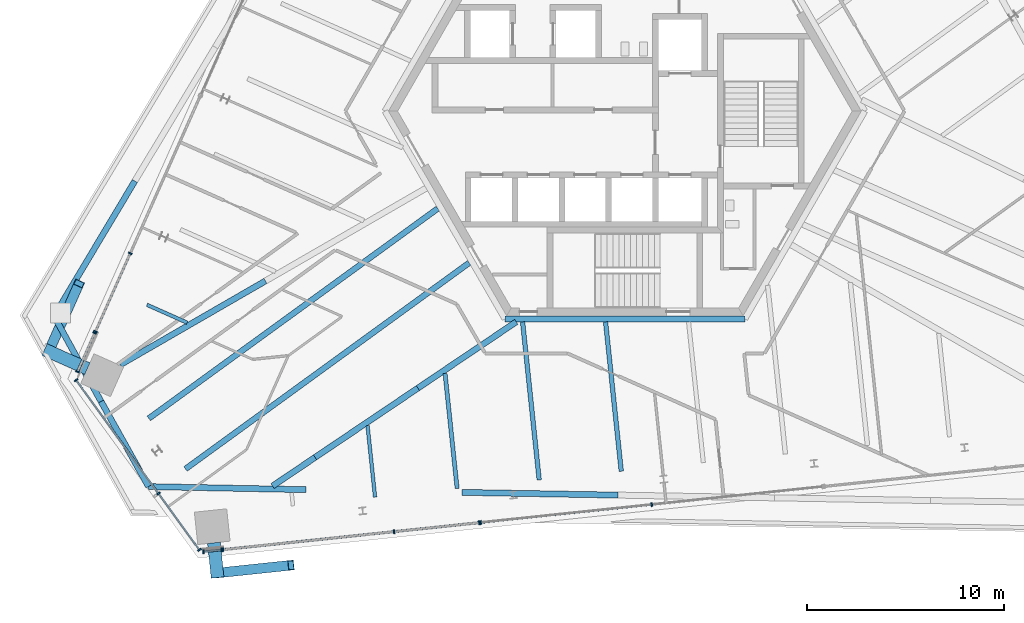
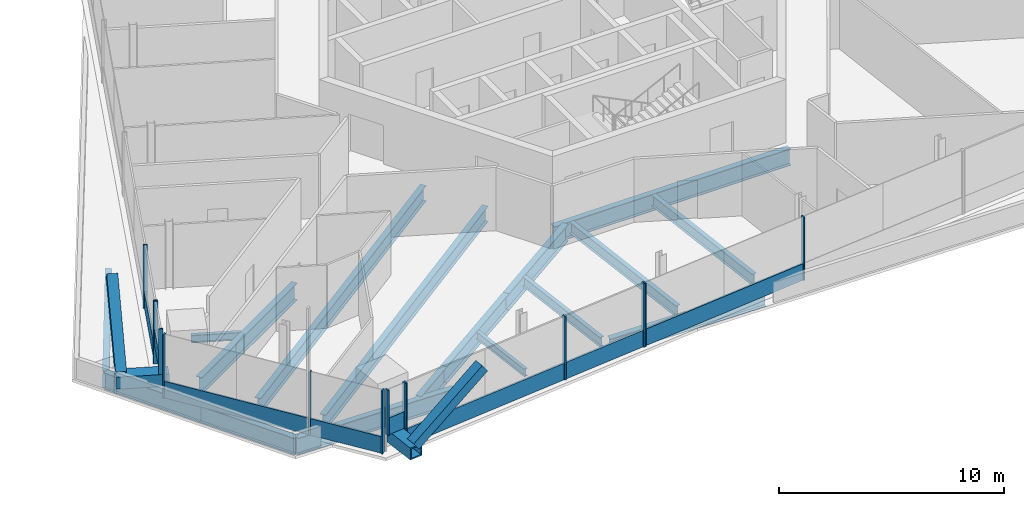
# One storey, part 4 of 21: 26 members, 17 beams, 6 elements without a shape of their own.
"""IFC4 building model written with IfcOpenShell, lengths in metres."""

from ifc_helpers import new_model, si_unit, direction, frame, origin, origin_2d, place, context, subcontext, project, spatial, rectangle, hollow_rectangle, i_section, extrude, source, transform, mapped, material, material_profile, profile_set, type_object, element, aggregate, save


model = new_model("IFC4")

# Units and contexts
model_context = context("Model", 3, precision=1e-05, world=origin(), true_north=direction((0.0, 1.0)))
body_context = subcontext(model_context, "Body", "Model", "MODEL_VIEW")
ifc_project = project(units=[si_unit("LENGTHUNIT", "METRE"), si_unit("AREAUNIT", "SQUARE_METRE"), si_unit("VOLUMEUNIT", "CUBIC_METRE"), si_unit("PLANEANGLEUNIT", "RADIAN"), si_unit("MASSUNIT", "GRAM", prefix="KILO")], contexts=[model_context])

# Site, building, storey
site_placement = place(None, origin())
site = spatial("IfcSite", under=ifc_project, at=site_placement, CompositionType="ELEMENT")
building_placement = place(site_placement, origin())
building = spatial("IfcBuilding", under=site, at=building_placement, Name="Triune Harvest Tower", CompositionType="ELEMENT")
storey_placement = place(building_placement, frame((0.0, 0.0, 219.699951171875)))
storey = spatial("IfcBuildingStorey", under=building, at=storey_placement, Name="L57", CompositionType="ELEMENT", Elevation=219.699951171875)

# Member
ifc_material_1 = material(Name="Steel ASTM A572 Gr 50", Category="steel")
ifc_material_profile_1 = material_profile(ifc_material_1, hollow_rectangle(XDim=0.64990234375, YDim=0.64990234375, WallThickness=0.070068359375, at=origin_2d()), Name="Box 650x650x70")
ifc_profile_set_1 = profile_set([ifc_material_profile_1], Name="Steel ASTM A572 Gr 50")
member_type_1 = type_object("IfcMemberType", Name="BS-1 Brace stub Box 650x650x70", PredefinedType="STRUT", material=ifc_profile_set_1)
member_1_placement = place(storey_placement, frame((-27.287841796875, -13.069091796875, 0.60009765625), z_axis=(-0.913569811991, 0.406681937906, 0.0), x_axis=(-0.406681937906, -0.913569811991, 0.0)))
element("IfcMember", 1, at=member_1_placement, inside=storey, type_object=member_type_1, Name="brace/B6-F3/stub3", PredefinedType="STRUT", context=body_context, shape_type="SweptSolid", body=[
    extrude(hollow_rectangle(XDim=0.64990234375, YDim=0.64990234375, WallThickness=0.070068359375, at=origin_2d()), origin(), (0.0, 0.0, 1.0), 2.37548828125),
])

# Beams
ifc_material_2 = material(Name="Steel ASTM A992 Gr 50", Category="steel")
ifc_material_profile_2 = material_profile(ifc_material_2, i_section(OverallWidth=0.3046875, OverallDepth=0.914306640625, WebThickness=0.0166015625, FlangeThickness=0.02587890625, at=origin_2d()), Name="W36x160")
ifc_profile_set_2 = profile_set([ifc_material_profile_2], Name="Steel ASTM A992 Gr 50")
beam_type_1 = type_object("IfcBeamType", Name="HG-3 Hip girder W36x160", PredefinedType="BEAM", material=ifc_profile_set_2)
beam_1_placement = place(storey_placement, frame((-25.61328125, -12.873046875, -0.6171875), z_axis=(0.866026401553, 0.49999827181, 0.0), x_axis=(-0.49999827181, 0.866026401553, 0.0)))
element("IfcBeam", 2, at=beam_1_placement, inside=storey, type_object=beam_type_1, Name="beam/L57/HG5", PredefinedType="BEAM", context=body_context, shape_type="SweptSolid", body=[
    extrude(i_section(OverallWidth=0.3046875, OverallDepth=0.914306640625, WebThickness=0.0166015625, FlangeThickness=0.02587890625, at=origin_2d()), origin(), (0.0, 0.0, 1.0), 8.5048828125),
])
beam_2_placement = place(storey_placement, frame((-17.885009765625, -19.02978515625, -0.6171875), z_axis=(0.829397868198, 0.558658371663, 0.0), x_axis=(-0.558658371663, 0.829397868198, 0.0)))
element("IfcBeam", 3, at=beam_2_placement, inside=storey, type_object=beam_type_1, Name="beam/L57/HG7", PredefinedType="BEAM", context=body_context, shape_type="SweptSolid", body=[
    extrude(i_section(OverallWidth=0.3046875, OverallDepth=0.914306640625, WebThickness=0.0166015625, FlangeThickness=0.02587890625, at=origin_2d()), origin(), (0.0, 0.0, 1.0), 2.6005859375),
])
ifc_material_3 = material(Name="Steel ASTM A992 Gr 50", Category="steel")
ifc_material_profile_3 = material_profile(ifc_material_3, i_section(OverallWidth=0.180908203125, OverallDepth=0.41650390625, WebThickness=0.010986328125, FlangeThickness=0.01806640625, at=origin_2d()), Name="W16x57")
ifc_profile_set_3 = profile_set([ifc_material_profile_3], Name="Steel ASTM A992 Gr 50")
beam_type_2 = type_object("IfcBeamType", Name="JT-1 Floor joist W16x57", PredefinedType="JOIST", material=ifc_profile_set_3)
beam_3_placement = place(storey_placement, frame((-24.259521484375, -9.83251953125, -0.3681640625), z_axis=(0.913585654602, -0.406646347218, 0.0), x_axis=(0.406646347218, 0.913585654602, 0.0)))
element("IfcBeam", 4, at=beam_3_placement, inside=storey, type_object=beam_type_2, Name="beam/L57/JT22", PredefinedType="JOIST", context=body_context, shape_type="SweptSolid", body=[
    extrude(i_section(OverallWidth=0.180908203125, OverallDepth=0.41650390625, WebThickness=0.010986328125, FlangeThickness=0.01806640625, at=origin_2d()), origin(), (0.0, 0.0, 1.0), 2.229736328125),
])
ifc_material_4 = material(Name="Steel ASTM A992 Gr 50", Category="steel")
ifc_material_profile_4 = material_profile(ifc_material_4, i_section(OverallWidth=0.2099609375, OverallDepth=0.535888671875, WebThickness=0.010986328125, FlangeThickness=0.017333984375, at=origin_2d()), Name="W21x68")
ifc_profile_set_4 = profile_set([ifc_material_profile_4], Name="Steel ASTM A992 Gr 50")
beam_type_3 = type_object("IfcBeamType", Name="JT-2 Floor joist W21x68", PredefinedType="JOIST", material=ifc_profile_set_4)
beam_4_placement = place(storey_placement, frame((-8.51611328125, -19.158203125, -0.427978515625), z_axis=(-0.104490061437, 0.994525930814, 0.0), x_axis=(-0.994525930814, -0.104490061437, 0.0)))
element("IfcBeam", 5, at=beam_4_placement, inside=storey, type_object=beam_type_3, Name="beam/L57/JT27", PredefinedType="JOIST", context=body_context, shape_type="SweptSolid", body=[
    extrude(i_section(OverallWidth=0.2099609375, OverallDepth=0.535888671875, WebThickness=0.010986328125, FlangeThickness=0.017333984375, at=origin_2d()), origin(), (0.0, 0.0, 1.0), 5.8740234375),
])
ifc_material_5 = material(Name="Steel ASTM A992 Gr 50", Category="steel")
ifc_material_profile_5 = material_profile(ifc_material_5, i_section(OverallWidth=0.2919921875, OverallDepth=0.8408203125, WebThickness=0.0146484375, FlangeThickness=0.021728515625, at=origin_2d()), Name="W33x130")
ifc_profile_set_5 = profile_set([ifc_material_profile_5], Name="Steel ASTM A992 Gr 50")
beam_type_4 = type_object("IfcBeamType", Name="JT-6 Floor joist W33x130", PredefinedType="JOIST", material=ifc_profile_set_5)
beam_5_placement = place(storey_placement, frame((-24.16650390625, -15.60009765625, -0.580322265625), z_axis=(0.809013162864, 0.587790525879, 0.0), x_axis=(-0.587790525879, 0.809013162864, 0.0)))
element("IfcBeam", 6, at=beam_5_placement, inside=storey, type_object=beam_type_4, Name="beam/L57/JT23", PredefinedType="JOIST", context=body_context, shape_type="SweptSolid", body=[
    extrude(i_section(OverallWidth=0.2919921875, OverallDepth=0.8408203125, WebThickness=0.0146484375, FlangeThickness=0.021728515625, at=origin_2d()), origin(), (0.0, 0.0, 1.0), 18.131103515625),
])
ifc_material_6 = material(Name="Steel ASTM A992 Gr 50", Category="steel")
ifc_material_profile_6 = material_profile(ifc_material_6, i_section(OverallWidth=0.3046875, OverallDepth=0.914306640625, WebThickness=0.0166015625, FlangeThickness=0.02587890625, at=origin_2d()), Name="W36x160")
ifc_profile_set_6 = profile_set([ifc_material_profile_6], Name="Steel ASTM A992 Gr 50")
beam_type_5 = type_object("IfcBeamType", Name="SB-1 Spandrel beam W36x160", PredefinedType="SPANDREL", material=ifc_profile_set_6)
beam_6_placement = place(storey_placement, frame((-24.177978515625, -19.059814453125, -0.6171875), z_axis=(0.999810420741, -0.019471070287, 0.0), x_axis=(0.019471070287, 0.999810420741, 0.0)))
element("IfcBeam", 7, at=beam_6_placement, inside=storey, type_object=beam_type_5, Name="beam/L57/WB15", PredefinedType="SPANDREL", context=body_context, shape_type="SweptSolid", body=[
    extrude(i_section(OverallWidth=0.3046875, OverallDepth=0.914306640625, WebThickness=0.0166015625, FlangeThickness=0.02587890625, at=origin_2d()), origin(), (0.0, 0.0, 1.0), 7.987060546875),
])

# Curtain wall, member
ifc_material_7 = material(Name="Aluminium bronze anodised", Category="aluminium")
curtain_wall_type_1 = type_object("IfcCurtainWallType", Name="CW-1 Tower stick curtain wall", PredefinedType="NOTDEFINED", material=ifc_material_7)
curtain_wall_1_placement = place(storey_placement, origin())
curtain_wall_1 = element("IfcCurtainWall", 8, at=curtain_wall_1_placement, inside=storey, type_object=curtain_wall_type_1, Name="CW-1 B6-F5 L57 run 1")
ifc_material_8 = material(Name="Aluminium bronze anodised", Category="aluminium")
ifc_material_profile_7 = material_profile(ifc_material_8, rectangle(XDim=0.090087890625, YDim=0.89990234375, at=origin_2d()), Name="TR-1 transom 90 x 900")
ifc_profile_set_7 = profile_set([ifc_material_profile_7], Name="Aluminium bronze anodised")
member_type_2 = type_object("IfcMemberType", Name="TR-1 transom 90 x 900", PredefinedType="USERDEFINED", material=ifc_profile_set_7)
member_2_placement = place(storey_placement, frame((-21.35498046875, -22.358154296875, 1.43505859375), z_axis=(0.994507032789, 0.104669774689, 0.0), x_axis=(-0.104669774689, 0.994507032789, 0.0)))
member_2 = element("IfcMember", 9, at=member_2_placement, type_object=member_type_2, Name="CW-1 transom B6-F5 1.1", ObjectType="TRANSOM", PredefinedType="USERDEFINED", context=body_context, shape_type="SweptSolid", body=[
    extrude(rectangle(XDim=0.090087890625, YDim=0.89990234375, at=origin_2d()), origin(), (0.0, 0.0, 1.0), 0.8466796875),
])

# Beams
ifc_material_9 = material(Name="Steel ASTM A992 Gr 50", Category="steel")
ifc_material_profile_8 = material_profile(ifc_material_9, i_section(OverallWidth=0.3046875, OverallDepth=0.914306640625, WebThickness=0.0166015625, FlangeThickness=0.02587890625, at=origin_2d()), Name="W36x160")
ifc_profile_set_8 = profile_set([ifc_material_profile_8], Name="Steel ASTM A992 Gr 50")
beam_type_6 = type_object("IfcBeamType", Name="CG-1 Core ring girder W36x160", PredefinedType="BEAM", material=ifc_profile_set_8)
shared_shape_1 = source(origin(), body_context, "Body", "SweptSolid", [
    extrude(i_section(OverallWidth=0.3046875, OverallDepth=0.914306640625, WebThickness=0.0166015625, FlangeThickness=0.02587890625, at=origin_2d()), origin(), (0.0, 0.0, 1.0), 12.17578125),
])
beam_7_placement = place(storey_placement, frame((-6.087890625, -10.544677734375, -0.6171875), z_axis=(1.0, 0.0, 0.0), x_axis=(0.0, 1.0, 0.0)))
element("IfcBeam", 10, at=beam_7_placement, inside=storey, type_object=beam_type_6, Name="beam/L57/CG5", PredefinedType="BEAM", context=body_context, shape_type="MappedRepresentation", body=[
    mapped(shared_shape_1, transform((0.0, 0.0, 0.0), scale=1.0)),
])
shared_shape_2 = source(origin(), body_context, "Body", "SweptSolid", [
    extrude(i_section(OverallWidth=0.3046875, OverallDepth=0.914306640625, WebThickness=0.0166015625, FlangeThickness=0.02587890625, at=origin_2d()), origin(), (0.0, 0.0, 1.0), 7.92724609375),
])
beam_8_placement = place(storey_placement, frame((-8.266357421875, -19.353515625, -0.6171875), z_axis=(0.999847522428, -0.017462299252, 0.0), x_axis=(0.017462299252, 0.999847522428, 0.0)))
element("IfcBeam", 11, at=beam_8_placement, inside=storey, type_object=beam_type_5, Name="beam/L57/WB16", PredefinedType="SPANDREL", context=body_context, shape_type="MappedRepresentation", body=[
    mapped(shared_shape_2, transform((0.0, 0.0, 0.0), scale=1.0)),
])
shared_shape_3 = source(origin(), body_context, "Body", "SweptSolid", [
    extrude(i_section(OverallWidth=0.3046875, OverallDepth=0.914306640625, WebThickness=0.0166015625, FlangeThickness=0.02587890625, at=origin_2d()), origin(), (0.0, 0.0, 1.0), 7.9873046875),
])
beam_9_placement = place(storey_placement, frame((-24.876220703125, -3.54931640625, -0.6171875), z_axis=(-0.51329957422, -0.858209500708, 0.0), x_axis=(0.858209500708, -0.51329957422, 0.0)))
element("IfcBeam", 12, at=beam_9_placement, inside=storey, type_object=beam_type_5, Name="beam/L57/WB12", PredefinedType="SPANDREL", context=body_context, shape_type="MappedRepresentation", body=[
    mapped(shared_shape_3, transform((0.0, 0.0, 0.0), scale=1.0)),
])
shared_shape_4 = source(origin(), body_context, "Body", "SweptSolid", [
    extrude(i_section(OverallWidth=0.3046875, OverallDepth=0.914306640625, WebThickness=0.0166015625, FlangeThickness=0.02587890625, at=origin_2d()), origin(), (0.0, 0.0, 1.0), 4.9482421875),
])
beam_10_placement = place(storey_placement, frame((-26.591064453125, -14.73974609375, -0.6171875), z_axis=(0.487656585494, -0.873035540299, 0.0), x_axis=(0.873035540299, 0.487656585494, 0.0)))
element("IfcBeam", 13, at=beam_10_placement, inside=storey, type_object=beam_type_5, Name="beam/L57/WB14", PredefinedType="SPANDREL", context=body_context, shape_type="MappedRepresentation", body=[
    mapped(shared_shape_4, transform((0.0, 0.0, 0.0), scale=1.0)),
])
shared_shape_5 = source(origin(), body_context, "Body", "SweptSolid", [
    extrude(i_section(OverallWidth=0.3046875, OverallDepth=0.914306640625, WebThickness=0.0166015625, FlangeThickness=0.02587890625, at=origin_2d()), origin(), (0.0, 0.0, 1.0), 4.948486328125),
])
beam_11_placement = place(storey_placement, frame((-28.97607421875, -10.404052734375, -0.6171875), z_axis=(0.481977461192, -0.876183614834, 0.0), x_axis=(0.876183614834, 0.481977461192, 0.0)))
element("IfcBeam", 14, at=beam_11_placement, inside=storey, type_object=beam_type_5, Name="beam/L57/WB13", PredefinedType="SPANDREL", context=body_context, shape_type="MappedRepresentation", body=[
    mapped(shared_shape_5, transform((0.0, 0.0, 0.0), scale=1.0)),
])
shared_shape_6 = source(origin(), body_context, "Body", "SweptSolid", [
    extrude(i_section(OverallWidth=0.3046875, OverallDepth=0.914306640625, WebThickness=0.0166015625, FlangeThickness=0.02587890625, at=origin_2d()), origin(), (0.0, 0.0, 1.0), 6.293701171875),
])
beam_12_placement = place(storey_placement, frame((-15.72802734375, -17.576904296875, -0.6171875), z_axis=(0.829391075311, 0.558668456416, 0.0), x_axis=(-0.558668456416, 0.829391075311, 0.0)))
element("IfcBeam", 15, at=beam_12_placement, inside=storey, type_object=beam_type_1, Name="beam/L57/HG8", PredefinedType="BEAM", context=body_context, shape_type="MappedRepresentation", body=[
    mapped(shared_shape_6, transform((0.0, 0.0, 0.0), scale=1.0)),
])
shared_shape_7 = source(origin(), body_context, "Body", "SweptSolid", [
    extrude(i_section(OverallWidth=0.3046875, OverallDepth=0.914306640625, WebThickness=0.0166015625, FlangeThickness=0.02587890625, at=origin_2d()), origin(), (0.0, 0.0, 1.0), 6.02099609375),
])
beam_13_placement = place(storey_placement, frame((-10.508056640625, -14.060791015625, -0.6171875), z_axis=(0.829383245618, 0.558680080088, 0.0), x_axis=(-0.558680080088, 0.829383245618, 0.0)))
element("IfcBeam", 16, at=beam_13_placement, inside=storey, type_object=beam_type_1, Name="beam/L57/HG9", PredefinedType="BEAM", context=body_context, shape_type="MappedRepresentation", body=[
    mapped(shared_shape_7, transform((0.0, 0.0, 0.0), scale=1.0)),
])
shared_shape_8 = source(origin(), body_context, "Body", "SweptSolid", [
    extrude(i_section(OverallWidth=0.180908203125, OverallDepth=0.41650390625, WebThickness=0.010986328125, FlangeThickness=0.01806640625, at=origin_2d()), origin(), (0.0, 0.0, 1.0), 3.650146484375),
])
beam_14_placement = place(storey_placement, frame((-12.681884765625, -19.595947265625, -0.3681640625), z_axis=(-0.104542033295, 0.994520469007, 0.0), x_axis=(-0.994520469007, -0.104542033295, 0.0)))
element("IfcBeam", 17, at=beam_14_placement, inside=storey, type_object=beam_type_2, Name="beam/L57/JT26", PredefinedType="JOIST", context=body_context, shape_type="MappedRepresentation", body=[
    mapped(shared_shape_8, transform((0.0, 0.0, 0.0), scale=1.0)),
])
ifc_material_10 = material(Name="Steel ASTM A992 Gr 50", Category="steel")
ifc_material_profile_9 = material_profile(ifc_material_10, i_section(OverallWidth=0.22900390625, OverallDepth=0.612060546875, WebThickness=0.011962890625, FlangeThickness=0.01953125, at=origin_2d()), Name="W24x84")
ifc_profile_set_9 = profile_set([ifc_material_profile_9], Name="Steel ASTM A992 Gr 50")
beam_type_7 = type_object("IfcBeamType", Name="JT-3 Floor joist W24x84", PredefinedType="JOIST", material=ifc_profile_set_9)
shared_shape_9 = source(origin(), body_context, "Body", "SweptSolid", [
    extrude(i_section(OverallWidth=0.22900390625, OverallDepth=0.612060546875, WebThickness=0.011962890625, FlangeThickness=0.01953125, at=origin_2d()), origin(), (0.0, 0.0, 1.0), 8.0673828125),
])
beam_15_placement = place(storey_placement, frame((-4.35009765625, -18.72021484375, -0.466064453125), z_axis=(-0.104557183391, 0.994518876342, 0.0), x_axis=(-0.994518876342, -0.104557183391, 0.0)))
element("IfcBeam", 18, at=beam_15_placement, inside=storey, type_object=beam_type_7, Name="beam/L57/JT28", PredefinedType="JOIST", context=body_context, shape_type="MappedRepresentation", body=[
    mapped(shared_shape_9, transform((0.0, 0.0, 0.0), scale=1.0)),
])
shared_shape_10 = source(origin(), body_context, "Body", "SweptSolid", [
    extrude(i_section(OverallWidth=0.22900390625, OverallDepth=0.612060546875, WebThickness=0.011962890625, FlangeThickness=0.01953125, at=origin_2d()), origin(), (0.0, 0.0, 1.0), 7.626953125),
])
beam_16_placement = place(storey_placement, frame((-0.184326171875, -18.2822265625, -0.466064453125), z_axis=(-0.104544816258, 0.994520176464, 0.0), x_axis=(-0.994520176464, -0.104544816258, 0.0)))
element("IfcBeam", 19, at=beam_16_placement, inside=storey, type_object=beam_type_7, Name="beam/L57/JT29", PredefinedType="JOIST", context=body_context, shape_type="MappedRepresentation", body=[
    mapped(shared_shape_10, transform((0.0, 0.0, 0.0), scale=1.0)),
])
shared_shape_11 = source(origin(), body_context, "Body", "SweptSolid", [
    extrude(i_section(OverallWidth=0.2919921875, OverallDepth=0.8408203125, WebThickness=0.0146484375, FlangeThickness=0.021728515625, at=origin_2d()), origin(), (0.0, 0.0, 1.0), 17.79833984375),
])
beam_17_placement = place(storey_placement, frame((-22.3046875, -18.1630859375, -0.580322265625), z_axis=(0.809015375141, 0.587787480971, 0.0), x_axis=(-0.587787480971, 0.809015375141, 0.0)))
element("IfcBeam", 20, at=beam_17_placement, inside=storey, type_object=beam_type_4, Name="beam/L57/JT24", PredefinedType="JOIST", context=body_context, shape_type="MappedRepresentation", body=[
    mapped(shared_shape_11, transform((0.0, 0.0, 0.0), scale=1.0)),
])

# Members
shared_shape_12 = source(origin(), body_context, "Body", "SweptSolid", [
    extrude(hollow_rectangle(XDim=0.64990234375, YDim=0.64990234375, WallThickness=0.070068359375, at=origin_2d()), origin(), (0.0, 0.0, 1.0), 1.775390625),
])
member_3_placement = place(storey_placement, frame((-20.862060546875, -21.913818359375, 0.60009765625), z_axis=(0.104512980796, -0.99452352252, 0.0), x_axis=(0.99452352252, 0.104512980796, 0.0)))
element("IfcMember", 21, at=member_3_placement, inside=storey, type_object=member_type_1, Name="brace/B6-F5/stub1", PredefinedType="STRUT", context=body_context, shape_type="MappedRepresentation", body=[
    mapped(shared_shape_12, transform((0.0, 0.0, 0.0), scale=1.0)),
])
ifc_material_11 = material(Name="Steel ASTM A572 Gr 50", Category="steel")
ifc_material_profile_10 = material_profile(ifc_material_11, hollow_rectangle(XDim=0.5, YDim=0.5, WallThickness=0.030029296875, at=origin_2d()), Name="Box 500x500x30")
ifc_profile_set_10 = profile_set([ifc_material_profile_10], Name="Steel ASTM A572 Gr 50")
member_type_3 = type_object("IfcMemberType", Name="BR-3 Brace Box 500x500x30", PredefinedType="BRACE", material=ifc_profile_set_10)
shared_shape_13 = source(origin(), body_context, "Body", "SweptSolid", [
    extrude(hollow_rectangle(XDim=0.5, YDim=0.5, WallThickness=0.030029296875, at=origin_2d()), origin(), (0.0, 0.0, 1.0), 4.645263671875),
])
for number, where, z_axis, x_axis, name in (
    (22, (-29.243408203125, -12.198486328125, 0.89013671875), (0.330378671536, 0.74195922782, 0.583392181682), (-0.913528465523, 0.406774805856, 0.0), "brace/B6-F3/d2/1"),
    (23, (-20.700927734375, -23.44580078125, 0.89013671875), (0.807749499844, 0.084879656598, 0.583383398287), (-0.104506254821, 0.994524229319, 0.0), "brace/B6-F5/d1/1"),
):
    element("IfcMember", number, at=place(storey_placement, frame(where, z_axis=z_axis, x_axis=x_axis)), inside=storey, type_object=member_type_3, Name=name, PredefinedType="BRACE", context=body_context, shape_type="MappedRepresentation", body=[
        mapped(shared_shape_13, transform((0.0, 0.0, 0.0), scale=1.0)),
    ])

# Curtain wall, members
ifc_material_12 = material(Name="Aluminium bronze anodised", Category="aluminium")
curtain_wall_type_2 = type_object("IfcCurtainWallType", Name="CW-7 Tower stick curtain wall with insulated spandrel infill", PredefinedType="NOTDEFINED", material=ifc_material_12)
curtain_wall_2_placement = place(storey_placement, origin())
curtain_wall_2 = element("IfcCurtainWall", 24, at=curtain_wall_2_placement, inside=storey, type_object=curtain_wall_type_2, Name="CW-7 B6-F3 L57 run 201")
ifc_material_13 = material(Name="Aluminium bronze anodised", Category="aluminium")
ifc_material_profile_11 = material_profile(ifc_material_13, rectangle(XDim=0.199951171875, YDim=0.074951171875, at=origin_2d()), Name="MU-1 mullion 75 x 200")
ifc_profile_set_11 = profile_set([ifc_material_profile_11], Name="Aluminium bronze anodised")
member_type_4 = type_object("IfcMemberType", Name="MU-1 mullion 75 x 200", PredefinedType="MULLION", material=ifc_profile_set_11)
shared_shape_14 = source(origin(), body_context, "Body", "SweptSolid", [
    extrude(rectangle(XDim=0.199951171875, YDim=0.074951171875, at=origin_2d()), origin(), (0.0, 0.0, 1.0), 2.454833984375),
])
member_4_placement = place(storey_placement, frame((-26.908935546875, -11.2578125, 0.985107421875), z_axis=(0.0, 0.0, 1.0), x_axis=(0.913552650454, -0.406720487373, 0.0)))
member_4 = element("IfcMember", 25, at=member_4_placement, type_object=member_type_4, Name="CW-7 mullion B6-F3 201.1", PredefinedType="MULLION", context=body_context, shape_type="MappedRepresentation", body=[
    mapped(shared_shape_14, transform((0.0, 0.0, 0.0), scale=1.0)),
])
member_5_placement = place(storey_placement, frame((-27.785888671875, -13.227783203125, 0.985107421875), z_axis=(0.0, 0.0, 1.0), x_axis=(0.913552650454, -0.406720487373, 0.0)))
member_5 = element("IfcMember", 26, at=member_5_placement, type_object=member_type_4, Name="CW-7 mullion B6-F3 201.2", PredefinedType="MULLION", context=body_context, shape_type="MappedRepresentation", body=[
    mapped(shared_shape_14, transform((0.0, 0.0, 0.0), scale=1.0)),
])

# Member
member_6_placement = place(storey_placement, frame((-21.392333984375, -22.362060546875, 0.985107421875), z_axis=(0.0, 0.0, 1.0), x_axis=(-0.10453855639, 0.994520834487, 0.0)))
member_6 = element("IfcMember", 27, at=member_6_placement, type_object=member_type_4, Name="CW-1 mullion B6-F5 1.1", PredefinedType="MULLION", context=body_context, shape_type="MappedRepresentation", body=[
    mapped(shared_shape_14, transform((0.0, 0.0, 0.0), scale=1.0)),
])

member_7_placement = place(storey_placement, frame((-20.4755859375, -22.265625, 0.985107421875), z_axis=(0.0, 0.0, 1.0), x_axis=(-0.10453855639, 0.994520834487, 0.0)))
member_7 = element("IfcMember", 28, at=member_7_placement, type_object=member_type_4, Name="CW-1 mullion B6-F5 1.2", PredefinedType="MULLION", context=body_context, shape_type="MappedRepresentation", body=[
    mapped(shared_shape_14, transform((0.0, 0.0, 0.0), scale=1.0)),
])

aggregate(curtain_wall_1, [member_6, member_7, member_2])

# Curtain wall, members
curtain_wall_3_placement = place(storey_placement, origin())
curtain_wall_3 = element("IfcCurtainWall", 29, at=curtain_wall_3_placement, inside=storey, type_object=curtain_wall_type_2, Name="CW-7 B6-F3 L57 run 2101")
shared_shape_15 = source(origin(), body_context, "Body", "SweptSolid", [
    extrude(rectangle(XDim=0.199951171875, YDim=0.074951171875, at=origin_2d()), origin(), (0.0, 0.0, 1.0), 3.43994140625),
])
member_8_placement = place(storey_placement, frame((-25.1103515625, -7.218017578125, 0.0), z_axis=(0.0, 0.0, 1.0), x_axis=(0.913543931473, -0.406740070891, 0.0)))
member_8 = element("IfcMember", 30, at=member_8_placement, type_object=member_type_4, Name="CW-7 mullion B6-F3 2101.3", PredefinedType="MULLION", context=body_context, shape_type="MappedRepresentation", body=[
    mapped(shared_shape_15, transform((0.0, 0.0, 0.0), scale=1.0)),
])
member_9_placement = place(storey_placement, frame((-26.87841796875, -11.189208984375, 0.0), z_axis=(0.0, 0.0, 1.0), x_axis=(0.913543931473, -0.406740070891, 0.0)))
member_9 = element("IfcMember", 31, at=member_9_placement, type_object=member_type_4, Name="CW-7 mullion B6-F3 2101.4", PredefinedType="MULLION", context=body_context, shape_type="MappedRepresentation", body=[
    mapped(shared_shape_15, transform((0.0, 0.0, 0.0), scale=1.0)),
])

curtain_wall_4_placement = place(storey_placement, origin())
curtain_wall_4 = element("IfcCurtainWall", 32, at=curtain_wall_4_placement, inside=storey, type_object=curtain_wall_type_1, Name="CW-1 B6-F4 L57 run 1")
member_10_placement = place(storey_placement, frame((-27.855224609375, -13.654541015625, 0.0), z_axis=(0.0, 0.0, 1.0), x_axis=(0.809014317982, 0.587788936013, 0.0)))
member_10 = element("IfcMember", 33, at=member_10_placement, type_object=member_type_4, Name="CW-1 mullion B6-F4 1.1", PredefinedType="MULLION", context=body_context, shape_type="MappedRepresentation", body=[
    mapped(shared_shape_15, transform((0.0, 0.0, 0.0), scale=1.0)),
])
member_11_placement = place(storey_placement, frame((-23.673828125, -19.409912109375, 0.0), z_axis=(0.0, 0.0, 1.0), x_axis=(0.809014317982, 0.587788936013, 0.0)))
member_11 = element("IfcMember", 34, at=member_11_placement, type_object=member_type_4, Name="CW-1 mullion B6-F4 1.3", PredefinedType="MULLION", context=body_context, shape_type="MappedRepresentation", body=[
    mapped(shared_shape_15, transform((0.0, 0.0, 0.0), scale=1.0)),
])
member_12_placement = place(storey_placement, frame((-21.593994140625, -22.272216796875, 0.0), z_axis=(0.0, 0.0, 1.0), x_axis=(0.809014317982, 0.587788936013, 0.0)))
member_12 = element("IfcMember", 35, at=member_12_placement, type_object=member_type_4, Name="CW-1 mullion B6-F4 1.4", PredefinedType="MULLION", context=body_context, shape_type="MappedRepresentation", body=[
    mapped(shared_shape_15, transform((0.0, 0.0, 0.0), scale=1.0)),
])

curtain_wall_5_placement = place(storey_placement, origin())
curtain_wall_5 = element("IfcCurtainWall", 36, at=curtain_wall_5_placement, inside=storey, type_object=curtain_wall_type_2, Name="CW-7 B6-F5 L57 run 101")
member_13_placement = place(storey_placement, frame((-20.401123046875, -22.2578125, 0.0), z_axis=(0.0, 0.0, 1.0), x_axis=(-0.10452688016, 0.994522061758, 0.0)))
member_13 = element("IfcMember", 37, at=member_13_placement, type_object=member_type_4, Name="CW-7 mullion B6-F5 101.1", PredefinedType="MULLION", context=body_context, shape_type="MappedRepresentation", body=[
    mapped(shared_shape_15, transform((0.0, 0.0, 0.0), scale=1.0)),
])
member_14_placement = place(storey_placement, frame((-11.71728515625, -21.34521484375, 0.0), z_axis=(0.0, 0.0, 1.0), x_axis=(-0.10452688016, 0.994522061758, 0.0)))
member_14 = element("IfcMember", 38, at=member_14_placement, type_object=member_type_4, Name="CW-7 mullion B6-F5 101.3", PredefinedType="MULLION", context=body_context, shape_type="MappedRepresentation", body=[
    mapped(shared_shape_15, transform((0.0, 0.0, 0.0), scale=1.0)),
])
member_15_placement = place(storey_placement, frame((-7.39404296875, -20.890869140625, 0.0), z_axis=(0.0, 0.0, 1.0), x_axis=(-0.10452688016, 0.994522061758, 0.0)))
member_15 = element("IfcMember", 39, at=member_15_placement, type_object=member_type_4, Name="CW-7 mullion B6-F5 101.4", PredefinedType="MULLION", context=body_context, shape_type="MappedRepresentation", body=[
    mapped(shared_shape_15, transform((0.0, 0.0, 0.0), scale=1.0)),
])

curtain_wall_6_placement = place(storey_placement, origin())
curtain_wall_6 = element("IfcCurtainWall", 40, at=curtain_wall_6_placement, inside=storey, type_object=curtain_wall_type_1, Name="CW-1 B6-F5 L57 run 1101")
member_16_placement = place(storey_placement, frame((-7.319580078125, -20.883056640625, 0.0), z_axis=(0.0, 0.0, 1.0), x_axis=(-0.104533112504, 0.994521406703, 0.0)))
member_16 = element("IfcMember", 41, at=member_16_placement, type_object=member_type_4, Name="CW-1 mullion B6-F5 1101.1", PredefinedType="MULLION", context=body_context, shape_type="MappedRepresentation", body=[
    mapped(shared_shape_15, transform((0.0, 0.0, 0.0), scale=1.0)),
])
member_17_placement = place(storey_placement, frame((1.3642578125, -19.97021484375, 0.0), z_axis=(0.0, 0.0, 1.0), x_axis=(-0.104533112504, 0.994521406703, 0.0)))
member_17 = element("IfcMember", 42, at=member_17_placement, type_object=member_type_4, Name="CW-1 mullion B6-F5 1101.3", PredefinedType="MULLION", context=body_context, shape_type="MappedRepresentation", body=[
    mapped(shared_shape_15, transform((0.0, 0.0, 0.0), scale=1.0)),
])

# Member
shared_shape_16 = source(origin(), body_context, "Body", "SweptSolid", [
    extrude(rectangle(XDim=0.090087890625, YDim=0.89990234375, at=origin_2d()), origin(), (0.0, 0.0, 1.0), 2.08154296875),
])
member_18_placement = place(storey_placement, frame((-26.924072265625, -11.2919921875, 1.43505859375), z_axis=(-0.406747779186, -0.913540499446, 0.0), x_axis=(0.913540499446, -0.406747779186, 0.0)))
member_18 = element("IfcMember", 43, at=member_18_placement, type_object=member_type_2, Name="CW-7 transom B6-F3 201.1", ObjectType="TRANSOM", PredefinedType="USERDEFINED", context=body_context, shape_type="MappedRepresentation", body=[
    mapped(shared_shape_16, transform((0.0, 0.0, 0.0), scale=1.0)),
])

aggregate(curtain_wall_2, [member_4, member_5, member_18])

shared_shape_17 = source(origin(), body_context, "Body", "SweptSolid", [
    extrude(rectangle(XDim=0.090087890625, YDim=0.89990234375, at=origin_2d()), origin(), (0.0, 0.0, 1.0), 8.656494140625),
])
member_19_placement = place(storey_placement, frame((-20.36376953125, -22.25390625, 0.449951171875), z_axis=(0.994522747477, 0.104520355675, 0.0), x_axis=(-0.104520355675, 0.994522747477, 0.0)))
member_19 = element("IfcMember", 44, at=member_19_placement, type_object=member_type_2, Name="CW-7 transom B6-F5 101.1", ObjectType="TRANSOM", PredefinedType="USERDEFINED", context=body_context, shape_type="MappedRepresentation", body=[
    mapped(shared_shape_17, transform((0.0, 0.0, 0.0), scale=1.0)),
])

member_20_placement = place(storey_placement, frame((-7.2822265625, -20.879150390625, 0.449951171875), z_axis=(0.994519815452, 0.104548250457, 0.0), x_axis=(-0.104548250457, 0.994519815452, 0.0)))
member_20 = element("IfcMember", 45, at=member_20_placement, type_object=member_type_2, Name="CW-1 transom B6-F5 1101.1", ObjectType="TRANSOM", PredefinedType="USERDEFINED", context=body_context, shape_type="MappedRepresentation", body=[
    mapped(shared_shape_17, transform((0.0, 0.0, 0.0), scale=1.0)),
])

aggregate(curtain_wall_6, [member_16, member_17, member_20])

shared_shape_18 = source(origin(), body_context, "Body", "SweptSolid", [
    extrude(rectangle(XDim=0.090087890625, YDim=0.89990234375, at=origin_2d()), origin(), (0.0, 0.0, 1.0), 4.27197265625),
])
member_21_placement = place(storey_placement, frame((-11.679931640625, -21.34130859375, 0.449951171875), z_axis=(0.994522037371, 0.104527112191, 0.0), x_axis=(-0.104527112191, 0.994522037371, 0.0)))
member_21 = element("IfcMember", 46, at=member_21_placement, type_object=member_type_2, Name="CW-7 transom B6-F5 101.2", ObjectType="TRANSOM", PredefinedType="USERDEFINED", context=body_context, shape_type="MappedRepresentation", body=[
    mapped(shared_shape_18, transform((0.0, 0.0, 0.0), scale=1.0)),
])

aggregate(curtain_wall_5, [member_13, member_14, member_15, member_19, member_21])

shared_shape_19 = source(origin(), body_context, "Body", "SweptSolid", [
    extrude(rectangle(XDim=0.090087890625, YDim=0.89990234375, at=origin_2d()), origin(), (0.0, 0.0, 1.0), 4.272216796875),
])
member_22_placement = place(storey_placement, frame((-25.12548828125, -7.252197265625, 0.449951171875), z_axis=(-0.406716337029, -0.913554498207, 0.0), x_axis=(0.913554498207, -0.406716337029, 0.0)))
member_22 = element("IfcMember", 47, at=member_22_placement, type_object=member_type_2, Name="CW-7 transom B6-F3 2101.2", ObjectType="TRANSOM", PredefinedType="USERDEFINED", context=body_context, shape_type="MappedRepresentation", body=[
    mapped(shared_shape_19, transform((0.0, 0.0, 0.0), scale=1.0)),
])

aggregate(curtain_wall_3, [member_8, member_9, member_22])

shared_shape_20 = source(origin(), body_context, "Body", "SweptSolid", [
    extrude(rectangle(XDim=0.090087890625, YDim=0.89990234375, at=origin_2d()), origin(), (0.0, 0.0, 1.0), 7.03857421875),
])
member_23_placement = place(storey_placement, frame((-27.8330078125, -13.68505859375, 0.449951171875), z_axis=(0.587788023707, -0.809014980817, 0.0), x_axis=(0.809014980817, 0.587788023707, 0.0)))
member_23 = element("IfcMember", 48, at=member_23_placement, type_object=member_type_2, Name="CW-1 transom B6-F4 1.1", ObjectType="TRANSOM", PredefinedType="USERDEFINED", context=body_context, shape_type="MappedRepresentation", body=[
    mapped(shared_shape_20, transform((0.0, 0.0, 0.0), scale=1.0)),
])

shared_shape_21 = source(origin(), body_context, "Body", "SweptSolid", [
    extrude(rectangle(XDim=0.090087890625, YDim=0.89990234375, at=origin_2d()), origin(), (0.0, 0.0, 1.0), 3.463134765625),
])
member_24_placement = place(storey_placement, frame((-23.651611328125, -19.440185546875, 0.449951171875), z_axis=(0.58779438563, -0.809010358538, 0.0), x_axis=(0.809010358538, 0.58779438563, 0.0)))
member_24 = element("IfcMember", 49, at=member_24_placement, type_object=member_type_2, Name="CW-1 transom B6-F4 1.2", ObjectType="TRANSOM", PredefinedType="USERDEFINED", context=body_context, shape_type="MappedRepresentation", body=[
    mapped(shared_shape_21, transform((0.0, 0.0, 0.0), scale=1.0)),
])

aggregate(curtain_wall_4, [member_10, member_11, member_12, member_23, member_24])

save(model, "model.ifc")
